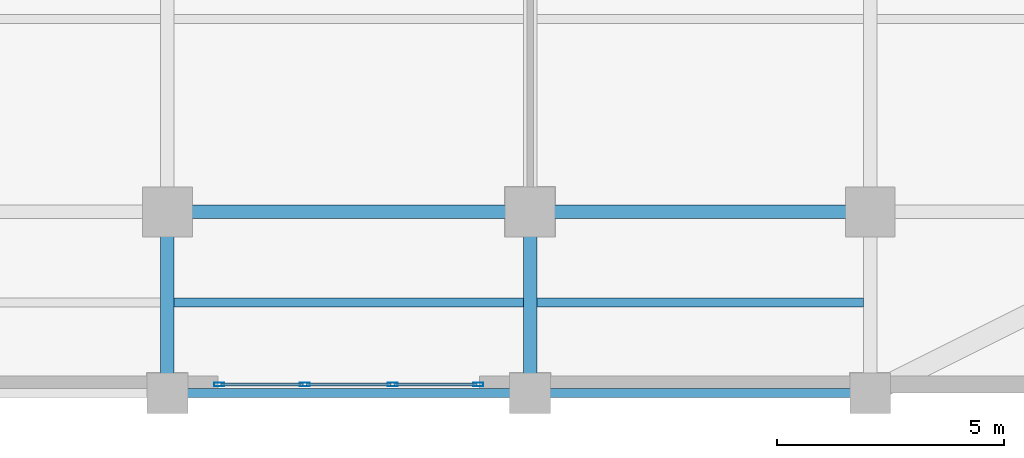
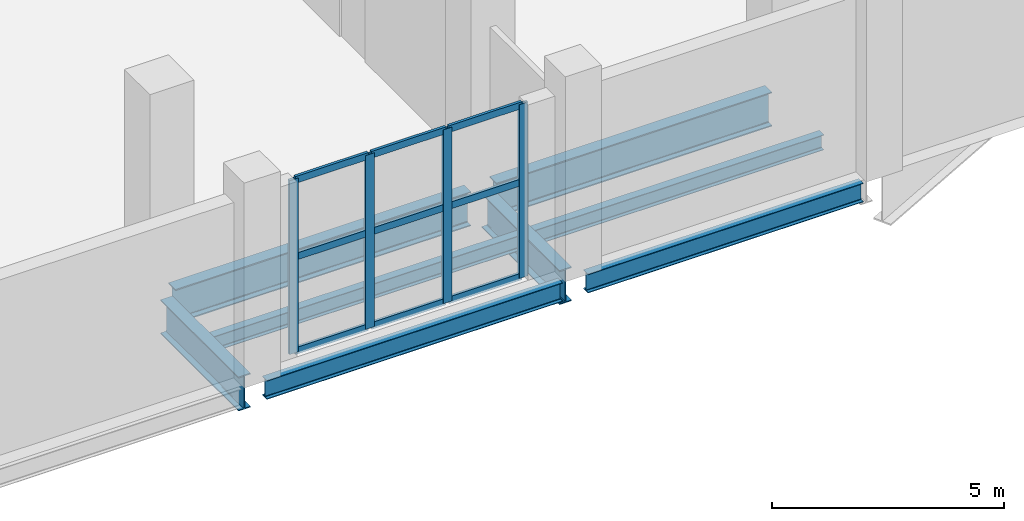
# One storey, part 8 of 18: 13 members, 8 beams, 1 element without a shape of its own.
"""IFC4 building model written with IfcOpenShell, lengths in metres."""

from ifc_helpers import new_model, si_unit, direction, frame, origin, origin_2d, place, context, subcontext, project, spatial, hollow_rectangle, i_section, extrude, material, layer, layer_set, material_profile, profile_set, type_object, element, aggregate, save


model = new_model("IFC4")

# Units and contexts
model_context = context("Model", 3, precision=1e-05, world=origin(), true_north=direction((0.0, 1.0)))
body_context = subcontext(model_context, "Body", "Model", "MODEL_VIEW")
ifc_project = project(units=[si_unit("LENGTHUNIT", "METRE"), si_unit("AREAUNIT", "SQUARE_METRE"), si_unit("VOLUMEUNIT", "CUBIC_METRE"), si_unit("PLANEANGLEUNIT", "RADIAN"), si_unit("MASSUNIT", "GRAM", prefix="KILO")], contexts=[model_context])

# Site, building, storey
site_placement = place(None, origin())
site = spatial("IfcSite", under=ifc_project, at=site_placement, CompositionType="ELEMENT")
building_placement = place(site_placement, origin())
building = spatial("IfcBuilding", under=site, at=building_placement, Name="Qianrong Seaharbour Tower", CompositionType="ELEMENT")
storey_placement = place(building_placement, frame((0.0, 0.0, 6.0)))
storey = spatial("IfcBuildingStorey", under=building, at=storey_placement, Name="L02", CompositionType="ELEMENT", Elevation=6.0)

# Beams
ifc_material_1 = material(Name="Structural steel SN490B", Category="steel")
ifc_material_profile_1 = material_profile(ifc_material_1, i_section(OverallWidth=0.300048828125, OverallDepth=0.89990234375, WebThickness=0.01611328125, FlangeThickness=0.028076171875, FilletRadius=0.028076171875, at=origin_2d()), Name="H900x300x16x28")
ifc_profile_set_1 = profile_set([ifc_material_profile_1], Name="Structural steel SN490B")
beam_type_1 = type_object("IfcBeamType", Name="BM-G-900", PredefinedType="BEAM", material=ifc_profile_set_1)
beam_1_placement = place(storey_placement, frame((48.820068359375, 4.0, -0.72998046875), z_axis=(1.0, 0.0, 0.0), x_axis=(0.0, 1.0, 0.0)))
element("IfcBeam", 1, at=beam_1_placement, inside=storey, type_object=beam_type_1, Name="L02 Primary Girder GB G7-G8", PredefinedType="BEAM", context=body_context, shape_type="SweptSolid", body=[
    extrude(i_section(OverallWidth=0.300048828125, OverallDepth=0.89990234375, WebThickness=0.01611328125, FlangeThickness=0.028076171875, FilletRadius=0.028076171875, at=origin_2d()), origin(), (0.0, 0.0, 1.0), 7.35986328125),
])
beam_2_placement = place(storey_placement, frame((56.820068359375, 4.0, -0.72998046875), z_axis=(1.0, 0.0, 0.0), x_axis=(0.0, 1.0, 0.0)))
element("IfcBeam", 2, at=beam_2_placement, inside=storey, type_object=beam_type_1, Name="L02 Primary Girder GB G8-G9", PredefinedType="BEAM", context=body_context, shape_type="SweptSolid", body=[
    extrude(i_section(OverallWidth=0.300048828125, OverallDepth=0.89990234375, WebThickness=0.01611328125, FlangeThickness=0.028076171875, FilletRadius=0.028076171875, at=origin_2d()), origin(), (0.0, 0.0, 1.0), 6.85986328125),
])
for number, where, z_axis, x_axis, name in (
    (3, (48.5, 0.320068359375, -0.72998046875), (0.0, 1.0, 0.0), (-1.0, 0.0, 0.0), "L02 Primary Girder G7 GA-GB"),
    (4, (56.5, 0.320068359375, -0.72998046875), (0.0, 1.0, 0.0), (-1.0, 0.0, 0.0), "L02 Primary Girder G8 GA-GB"),
):
    element("IfcBeam", number, at=place(storey_placement, frame(where, z_axis=z_axis, x_axis=x_axis)), inside=storey, type_object=beam_type_1, Name=name, PredefinedType="BEAM", context=body_context, shape_type="SweptSolid", body=[
        extrude(i_section(OverallWidth=0.300048828125, OverallDepth=0.89990234375, WebThickness=0.01611328125, FlangeThickness=0.028076171875, FilletRadius=0.028076171875, at=origin_2d()), origin(), (0.0, 0.0, 1.0), 3.35986328125),
    ])
ifc_material_2 = material(Name="Structural steel SN400B", Category="steel")
ifc_material_profile_2 = material_profile(ifc_material_2, i_section(OverallWidth=0.199951171875, OverallDepth=0.39990234375, WebThickness=0.008056640625, FlangeThickness=0.012939453125, FilletRadius=0.01611328125, at=origin_2d()), Name="H400x200x8x13")
ifc_profile_set_2 = profile_set([ifc_material_profile_2], Name="Structural steel SN400B")
beam_type_2 = type_object("IfcBeamType", Name="BM-J-400", PredefinedType="JOIST", material=ifc_profile_set_2)
beam_3_placement = place(storey_placement, frame((48.64990234375, 2.0, -0.47998046875), z_axis=(1.0, 0.0, 0.0), x_axis=(0.0, 1.0, 0.0)))
element("IfcBeam", 5, at=beam_3_placement, inside=storey, type_object=beam_type_2, Name="L02 Composite Floor Joist G7-G8/GA-GB", PredefinedType="JOIST", context=body_context, shape_type="SweptSolid", body=[
    extrude(i_section(OverallWidth=0.199951171875, OverallDepth=0.39990234375, WebThickness=0.008056640625, FlangeThickness=0.012939453125, FilletRadius=0.01611328125, at=origin_2d()), origin(), (0.0, 0.0, 1.0), 7.7001953125),
])
beam_4_placement = place(storey_placement, frame((56.64990234375, 2.0, -0.47998046875), z_axis=(1.0, 0.0, 0.0), x_axis=(0.0, 1.0, 0.0)))
element("IfcBeam", 6, at=beam_4_placement, inside=storey, type_object=beam_type_2, Name="L02 Composite Floor Joist G8-G9/GA-GB", PredefinedType="JOIST", context=body_context, shape_type="SweptSolid", body=[
    extrude(i_section(OverallWidth=0.199951171875, OverallDepth=0.39990234375, WebThickness=0.008056640625, FlangeThickness=0.012939453125, FilletRadius=0.01611328125, at=origin_2d()), origin(), (0.0, 0.0, 1.0), 7.2001953125),
])
ifc_material_profile_3 = material_profile(ifc_material_1, i_section(OverallWidth=0.199951171875, OverallDepth=0.5, WebThickness=0.010009765625, FlangeThickness=0.01611328125, FilletRadius=0.02001953125, at=origin_2d()), Name="H500x200x10x16")
ifc_profile_set_3 = profile_set([ifc_material_profile_3], Name="Structural steel SN490B")
beam_type_3 = type_object("IfcBeamType", Name="BM-SP-500", PredefinedType="SPANDREL", material=ifc_profile_set_3)
beam_5_placement = place(storey_placement, frame((48.820068359375, 0.0, -0.530029296875), z_axis=(1.0, 0.0, 0.0), x_axis=(0.0, 1.0, 0.0)))
element("IfcBeam", 7, at=beam_5_placement, inside=storey, type_object=beam_type_3, Name="L02 Spandrel Girder GA G7-G8", PredefinedType="SPANDREL", context=body_context, shape_type="SweptSolid", body=[
    extrude(i_section(OverallWidth=0.199951171875, OverallDepth=0.5, WebThickness=0.010009765625, FlangeThickness=0.01611328125, FilletRadius=0.02001953125, at=origin_2d()), origin(), (0.0, 0.0, 1.0), 7.35986328125),
])
beam_6_placement = place(storey_placement, frame((56.820068359375, 0.0, -0.530029296875), z_axis=(1.0, 0.0, 0.0), x_axis=(0.0, 1.0, 0.0)))
element("IfcBeam", 8, at=beam_6_placement, inside=storey, type_object=beam_type_3, Name="L02 Spandrel Girder GA G8-G9", PredefinedType="SPANDREL", context=body_context, shape_type="SweptSolid", body=[
    extrude(i_section(OverallWidth=0.199951171875, OverallDepth=0.5, WebThickness=0.010009765625, FlangeThickness=0.01611328125, FilletRadius=0.02001953125, at=origin_2d()), origin(), (0.0, 0.0, 1.0), 6.85986328125),
])

# Curtain wall, members
ifc_material_3 = material(Name="Anodised aluminium 6063-T6 and laminated low-e glass", Category="aluminium")
ifc_layer = layer(ifc_material_3, 0.219970703125)
ifc_layer_set = layer_set([ifc_layer], Name="Anodised aluminium 6063-T6 and laminated low-e glass")
curtain_wall_type = type_object("IfcCurtainWallType", Name="CW-SYS-1", PredefinedType="NOTDEFINED", material=ifc_layer_set)
curtain_wall_placement = place(storey_placement, origin())
curtain_wall = element("IfcCurtainWall", 9, at=curtain_wall_placement, inside=storey, type_object=curtain_wall_type, Name="L02 Waterfront Colonnade Curtain Wall Bay 4", PredefinedType="NOTDEFINED")
ifc_material_4 = material(Name="Extruded aluminium 6063-T6", Category="aluminium")
ifc_material_profile_4 = material_profile(ifc_material_4, hollow_rectangle(XDim=0.080078125, YDim=0.219970703125, WallThickness=0.0048828125, at=origin_2d()), Name="ALU-MUL-220x80x5")
ifc_profile_set_4 = profile_set([ifc_material_profile_4], Name="Extruded aluminium 6063-T6")
member_type_1 = type_object("IfcMemberType", Name="CW-MUL-220", PredefinedType="MULLION", material=ifc_profile_set_4)
member_1_placement = place(storey_placement, frame((55.360107421875, 0.18994140625, 0.0), z_axis=(0.0, 0.0, 1.0), x_axis=(0.0, -1.0, 0.0)))
member_1 = element("IfcMember", 10, at=member_1_placement, type_object=member_type_1, Name="CW-1 mullion 1", PredefinedType="MULLION", context=body_context, shape_type="SweptSolid", body=[
    extrude(hollow_rectangle(XDim=0.080078125, YDim=0.219970703125, WallThickness=0.0048828125, at=origin_2d()), origin(), (0.0, 0.0, 1.0), 4.580078125),
])
member_2_placement = place(storey_placement, frame((53.466552734375, 0.18994140625, 0.0), z_axis=(0.0, 0.0, 1.0), x_axis=(0.0, -1.0, 0.0)))
member_2 = element("IfcMember", 11, at=member_2_placement, type_object=member_type_1, Name="CW-1 mullion 2", PredefinedType="MULLION", context=body_context, shape_type="SweptSolid", body=[
    extrude(hollow_rectangle(XDim=0.080078125, YDim=0.219970703125, WallThickness=0.0048828125, at=origin_2d()), origin(), (0.0, 0.0, 1.0), 4.580078125),
])
member_3_placement = place(storey_placement, frame((51.533447265625, 0.18994140625, 0.0), z_axis=(0.0, 0.0, 1.0), x_axis=(0.0, -1.0, 0.0)))
member_3 = element("IfcMember", 12, at=member_3_placement, type_object=member_type_1, Name="CW-1 mullion 3", PredefinedType="MULLION", context=body_context, shape_type="SweptSolid", body=[
    extrude(hollow_rectangle(XDim=0.080078125, YDim=0.219970703125, WallThickness=0.0048828125, at=origin_2d()), origin(), (0.0, 0.0, 1.0), 4.580078125),
])
member_4_placement = place(storey_placement, frame((49.639892578125, 0.18994140625, 0.0), z_axis=(0.0, 0.0, 1.0), x_axis=(0.0, -1.0, 0.0)))
member_4 = element("IfcMember", 13, at=member_4_placement, type_object=member_type_1, Name="CW-1 mullion 4", PredefinedType="MULLION", context=body_context, shape_type="SweptSolid", body=[
    extrude(hollow_rectangle(XDim=0.080078125, YDim=0.219970703125, WallThickness=0.0048828125, at=origin_2d()), origin(), (0.0, 0.0, 1.0), 4.580078125),
])
ifc_material_profile_5 = material_profile(ifc_material_4, hollow_rectangle(XDim=0.070068359375, YDim=0.179931640625, WallThickness=0.00390625, at=origin_2d()), Name="ALU-TRN-180x70x4")
ifc_profile_set_5 = profile_set([ifc_material_profile_5], Name="Extruded aluminium 6063-T6")
member_type_2 = type_object("IfcMemberType", Name="CW-TRN-180", PredefinedType="USERDEFINED", material=ifc_profile_set_5)
member_5_placement = place(storey_placement, frame((55.320068359375, 0.18994140625, 0.034912109375), z_axis=(-1.0, 0.0, 0.0), x_axis=(0.0, -1.0, 0.0)))
member_5 = element("IfcMember", 14, at=member_5_placement, type_object=member_type_2, Name="CW-1 transom 1.1", ObjectType="TRANSOM", PredefinedType="USERDEFINED", context=body_context, shape_type="SweptSolid", body=[
    extrude(hollow_rectangle(XDim=0.070068359375, YDim=0.179931640625, WallThickness=0.00390625, at=origin_2d()), origin(), (0.0, 0.0, 1.0), 1.8134765625),
])
member_6_placement = place(storey_placement, frame((55.320068359375, 0.18994140625, 2.51904296875), z_axis=(-1.0, 0.0, 0.0), x_axis=(0.0, -1.0, 0.0)))
member_6 = element("IfcMember", 15, at=member_6_placement, type_object=member_type_2, Name="CW-1 transom 1.2", ObjectType="TRANSOM", PredefinedType="USERDEFINED", context=body_context, shape_type="SweptSolid", body=[
    extrude(hollow_rectangle(XDim=0.070068359375, YDim=0.179931640625, WallThickness=0.00390625, at=origin_2d()), origin(), (0.0, 0.0, 1.0), 1.8134765625),
])
member_7_placement = place(storey_placement, frame((55.320068359375, 0.18994140625, 4.544921875), z_axis=(-1.0, 0.0, 0.0), x_axis=(0.0, -1.0, 0.0)))
member_7 = element("IfcMember", 16, at=member_7_placement, type_object=member_type_2, Name="CW-1 transom 1.3", ObjectType="TRANSOM", PredefinedType="USERDEFINED", context=body_context, shape_type="SweptSolid", body=[
    extrude(hollow_rectangle(XDim=0.070068359375, YDim=0.179931640625, WallThickness=0.00390625, at=origin_2d()), origin(), (0.0, 0.0, 1.0), 1.8134765625),
])
member_8_placement = place(storey_placement, frame((53.4267578125, 0.18994140625, 0.034912109375), z_axis=(-1.0, 0.0, 0.0), x_axis=(0.0, -1.0, 0.0)))
member_8 = element("IfcMember", 17, at=member_8_placement, type_object=member_type_2, Name="CW-1 transom 2.1", ObjectType="TRANSOM", PredefinedType="USERDEFINED", context=body_context, shape_type="SweptSolid", body=[
    extrude(hollow_rectangle(XDim=0.070068359375, YDim=0.179931640625, WallThickness=0.00390625, at=origin_2d()), origin(), (0.0, 0.0, 1.0), 1.853515625),
])
member_9_placement = place(storey_placement, frame((53.4267578125, 0.18994140625, 2.51904296875), z_axis=(-1.0, 0.0, 0.0), x_axis=(0.0, -1.0, 0.0)))
member_9 = element("IfcMember", 18, at=member_9_placement, type_object=member_type_2, Name="CW-1 transom 2.2", ObjectType="TRANSOM", PredefinedType="USERDEFINED", context=body_context, shape_type="SweptSolid", body=[
    extrude(hollow_rectangle(XDim=0.070068359375, YDim=0.179931640625, WallThickness=0.00390625, at=origin_2d()), origin(), (0.0, 0.0, 1.0), 1.853515625),
])
member_10_placement = place(storey_placement, frame((53.4267578125, 0.18994140625, 4.544921875), z_axis=(-1.0, 0.0, 0.0), x_axis=(0.0, -1.0, 0.0)))
member_10 = element("IfcMember", 19, at=member_10_placement, type_object=member_type_2, Name="CW-1 transom 2.3", ObjectType="TRANSOM", PredefinedType="USERDEFINED", context=body_context, shape_type="SweptSolid", body=[
    extrude(hollow_rectangle(XDim=0.070068359375, YDim=0.179931640625, WallThickness=0.00390625, at=origin_2d()), origin(), (0.0, 0.0, 1.0), 1.853515625),
])
member_11_placement = place(storey_placement, frame((51.493408203125, 0.18994140625, 0.034912109375), z_axis=(-1.0, 0.0, 0.0), x_axis=(0.0, -1.0, 0.0)))
member_11 = element("IfcMember", 20, at=member_11_placement, type_object=member_type_2, Name="CW-1 transom 3.1", ObjectType="TRANSOM", PredefinedType="USERDEFINED", context=body_context, shape_type="SweptSolid", body=[
    extrude(hollow_rectangle(XDim=0.070068359375, YDim=0.179931640625, WallThickness=0.00390625, at=origin_2d()), origin(), (0.0, 0.0, 1.0), 1.8134765625),
])
member_12_placement = place(storey_placement, frame((51.493408203125, 0.18994140625, 2.51904296875), z_axis=(-1.0, 0.0, 0.0), x_axis=(0.0, -1.0, 0.0)))
member_12 = element("IfcMember", 21, at=member_12_placement, type_object=member_type_2, Name="CW-1 transom 3.2", ObjectType="TRANSOM", PredefinedType="USERDEFINED", context=body_context, shape_type="SweptSolid", body=[
    extrude(hollow_rectangle(XDim=0.070068359375, YDim=0.179931640625, WallThickness=0.00390625, at=origin_2d()), origin(), (0.0, 0.0, 1.0), 1.8134765625),
])
member_13_placement = place(storey_placement, frame((51.493408203125, 0.18994140625, 4.544921875), z_axis=(-1.0, 0.0, 0.0), x_axis=(0.0, -1.0, 0.0)))
member_13 = element("IfcMember", 22, at=member_13_placement, type_object=member_type_2, Name="CW-1 transom 3.3", ObjectType="TRANSOM", PredefinedType="USERDEFINED", context=body_context, shape_type="SweptSolid", body=[
    extrude(hollow_rectangle(XDim=0.070068359375, YDim=0.179931640625, WallThickness=0.00390625, at=origin_2d()), origin(), (0.0, 0.0, 1.0), 1.8134765625),
])
aggregate(curtain_wall, [member_1, member_2, member_3, member_4, member_5, member_6, member_7, member_8, member_9, member_10, member_11, member_12, member_13])

save(model, "model.ifc")
